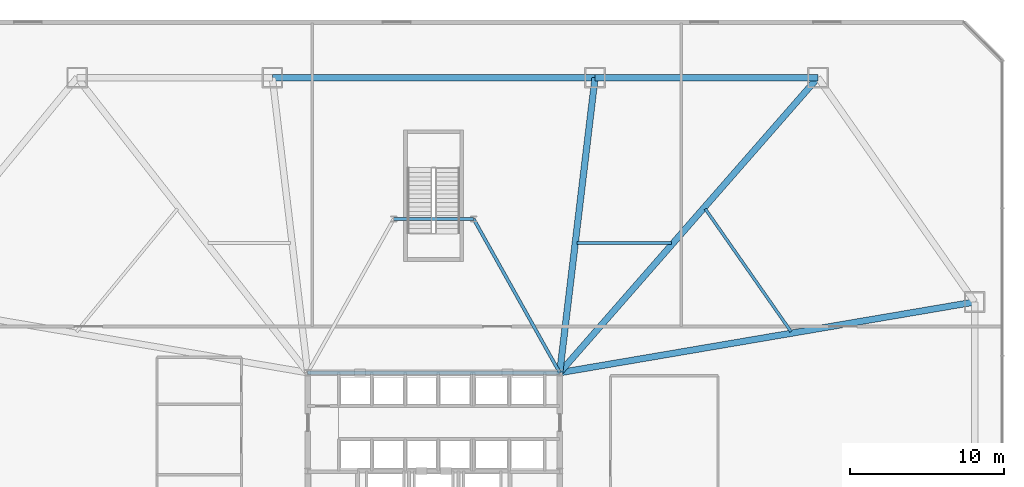
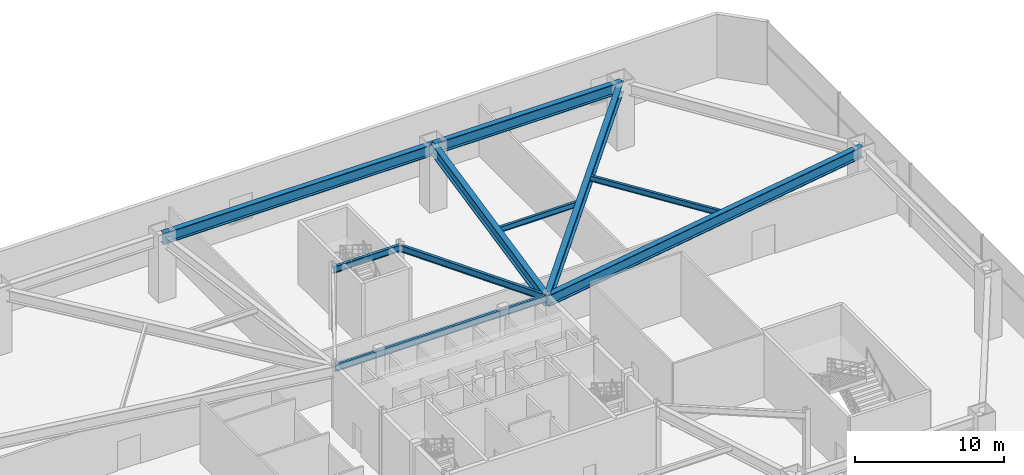
# One storey, part 8 of 20: 10 beams.
"""IFC4 building model written with IfcOpenShell, lengths in metres."""

import ifcopenshell
import ifcopenshell.guid

model = None  # the IFC model being written
_history = None  # IfcOwnerHistory: only IFC2X3 demands one
_inside = {}  # id of a spatial element -> (the spatial element, [elements in it])
_under = {}  # id of a project, library or spatial element -> (it, [spatial elements below it])
_declared = {}  # id of a project -> (the project, [libraries it declares])
_typed = {}  # id of a type object -> (the type object, [elements of that type])
_made_of = {}  # id of a material, layer set ... -> (it, [elements and type objects made of it])


def new_model(schema):
    """Start an empty IFC model of exactly this schema.

    Asked for "IFC4X3", IfcOpenShell would pick the latest addendum, in which some entities
    have other attributes; the version numbers below select the first issue.
    IFC2X3 requires an IfcOwnerHistory on every rooted entity: one is made here for all.
    """
    global model, _history
    if schema == "IFC4X3":
        model = ifcopenshell.file(schema_version=(4, 3, 0, 0))
    else:
        model = ifcopenshell.file(schema=schema)
    _inside.clear()
    _under.clear()
    _declared.clear()
    _typed.clear()
    _made_of.clear()
    _history = None
    if model.schema == "IFC2X3":
        org = make("IfcOrganization", Name="unknown")
        user = make(
            "IfcPersonAndOrganization",
            ThePerson=make("IfcPerson", FamilyName="unknown"),
            TheOrganization=org,
        )
        app = make(
            "IfcApplication",
            ApplicationDeveloper=org,
            Version="unknown",
            ApplicationFullName="unknown",
            ApplicationIdentifier="unknown",
        )
        _history = make(
            "IfcOwnerHistory",
            OwningUser=user,
            OwningApplication=app,
            ChangeAction="ADDED",
            CreationDate=0,
        )
    return model


def make(cls, **values):
    """One entity of the class cls with the attributes given. An attribute that is None is left unset."""
    return model.create_entity(
        cls, **{name: value for name, value in values.items() if value is not None}
    )


def rooted(cls, **values):
    """An entity with a GlobalId (a new one), such as an element, a storey or a relation."""
    return make(cls, GlobalId=ifcopenshell.guid.new(), OwnerHistory=_history, **values)


def si_unit(unit_type, name, prefix=None):
    """IfcSIUnit, for example si_unit("LENGTHUNIT", "METRE", prefix="MILLI")."""
    return make("IfcSIUnit", UnitType=unit_type, Prefix=prefix, Name=name)


def assignment(units):
    """IfcUnitAssignment: the units of a project."""
    return None if units is None else make("IfcUnitAssignment", Units=units)


def point(xyz):
    """IfcCartesianPoint."""
    return None if xyz is None else make("IfcCartesianPoint", Coordinates=xyz)


def direction(xyz):
    """IfcDirection."""
    return None if xyz is None else make("IfcDirection", DirectionRatios=xyz)


def frame(location, z_axis=None, x_axis=None):
    """IfcAxis2Placement3D, a coordinate frame: its origin and axes. An axis left out is left unset."""
    return make(
        "IfcAxis2Placement3D",
        Location=point(location),
        Axis=direction(z_axis),
        RefDirection=direction(x_axis),
    )


def frame_2d(location, x_axis=None):
    """IfcAxis2Placement2D, a coordinate frame in the plane: its origin and x axis."""
    return make(
        "IfcAxis2Placement2D", Location=point(location), RefDirection=direction(x_axis)
    )


def origin():
    """The frame at (0, 0, 0) with its axes left unset."""
    return frame((0.0, 0.0, 0.0))


def origin_2d():
    """The frame at (0, 0) in the plane with its x axis left unset."""
    return frame_2d((0.0, 0.0))


def place(relative_to, where):
    """IfcLocalPlacement: puts the frame where relative to a parent placement (None: the world)."""
    return make(
        "IfcLocalPlacement", PlacementRelTo=relative_to, RelativePlacement=where
    )


def context(
    kind, dimensions, precision=None, world=None, true_north=None, identifier=None
):
    """IfcGeometricRepresentationContext, for example the 3D "Model" context."""
    return make(
        "IfcGeometricRepresentationContext",
        ContextIdentifier=identifier,
        ContextType=kind,
        CoordinateSpaceDimension=dimensions,
        Precision=precision,
        WorldCoordinateSystem=world,
        TrueNorth=true_north,
    )


def subcontext(parent, identifier, kind, view, scale=None):
    """IfcGeometricRepresentationSubContext, for example "Body" below "Model"."""
    return make(
        "IfcGeometricRepresentationSubContext",
        ContextIdentifier=identifier,
        ContextType=kind,
        ParentContext=parent,
        TargetScale=scale,
        TargetView=view,
    )


def project(units=None, contexts=None):
    """IfcProject with its units and contexts."""
    return rooted(
        "IfcProject",
        Name="project",
        RepresentationContexts=contexts,
        UnitsInContext=assignment(units),
    )


def spatial(cls, under=None, at=None, **own):
    """A site, building, storey or space (cls), placed at a placement, below another one or the project."""
    s = rooted(cls, ObjectPlacement=at, **own)
    if under is not None:
        _under.setdefault(under.id(), (under, []))[1].append(s)
    return s


def profile(cls, at=None, kind="AREA", **sizes):
    """A parametric profile (cls). Its sizes go by their IFC names, for example OverallWidth=200.0."""
    return make(cls, ProfileType=kind, Position=at, **sizes)


def i_section(**sizes):
    """IfcIShapeProfileDef."""
    return profile("IfcIShapeProfileDef", **sizes)


def extrude(swept, where, along, depth):
    """IfcExtrudedAreaSolid: the profile swept, set in the frame where, extruded along a direction by depth."""
    return make(
        "IfcExtrudedAreaSolid",
        SweptArea=swept,
        Position=where,
        ExtrudedDirection=direction(along),
        Depth=depth,
    )


def shape(context_of_items, identifier, shape_type, items):
    """IfcShapeRepresentation: the items that make up one representation, for example the "Body"."""
    return make(
        "IfcShapeRepresentation",
        ContextOfItems=context_of_items,
        RepresentationIdentifier=identifier,
        RepresentationType=shape_type,
        Items=items,
    )


def material(Name=None, Category=None):
    """IfcMaterial."""
    return make("IfcMaterial", Name=Name, Category=Category)


def material_profile(
    of_material, cross_section, Name=None, Category=None, Priority=None
):
    """IfcMaterialProfile: a cross section and its material."""
    return make(
        "IfcMaterialProfile",
        Name=Name,
        Material=of_material,
        Profile=cross_section,
        Priority=Priority,
        Category=Category,
    )


def profile_set(profiles, Name=None, composite=None):
    """IfcMaterialProfileSet."""
    return make(
        "IfcMaterialProfileSet",
        Name=Name,
        MaterialProfiles=profiles,
        CompositeProfile=composite,
    )


def made_of(thing, what):
    """Note that an element or type object is made of a material, layer set ...; save() writes the relation."""
    if what is not None:
        _made_of.setdefault(what.id(), (what, []))[1].append(thing)
    return thing


def type_object(cls, material=None, **own):
    """A type object (cls), such as IfcWallType, which elements share."""
    return made_of(rooted(cls, **own), material)


def element(
    cls,
    number,
    at=None,
    inside=None,
    cuts=None,
    type_object=None,
    material=None,
    context=None,
    identifier="Body",
    shape_type=None,
    held_by="IfcProductDefinitionShape",
    body=None,
    shapes=None,
    **own,
):
    """One element of the class cls, such as IfcWall. Its Tag is "e" and its number.

    at: its placement. inside: the storey or other place that contains it. cuts: it is an
    opening in that element (IfcRelVoidsElement). A single representation is given by context,
    identifier, shape_type and body (its items); several are given by shapes. held_by: the class
    of the entity that holds the representations. save() writes the other relations.
    """
    e = rooted(cls, Tag="e%d" % number, ObjectPlacement=at, **own)
    if body is not None:
        shapes = [shape(context, identifier, shape_type, body)]
    if shapes is not None:
        e.Representation = make(held_by, Representations=shapes)
    if inside is not None:
        _inside.setdefault(inside.id(), (inside, []))[1].append(e)
    if cuts is not None:
        rooted(
            "IfcRelVoidsElement", RelatingBuildingElement=cuts, RelatedOpeningElement=e
        )
    if type_object is not None:
        _typed.setdefault(type_object.id(), (type_object, []))[1].append(e)
    return made_of(e, material)


def aggregate(whole, parts):
    """IfcRelAggregates: a whole, such as a stair, and the parts it consists of."""
    return rooted("IfcRelAggregates", RelatingObject=whole, RelatedObjects=parts)


def save(model, path):
    """Write the relations noted so far, then the file.

    IfcRelAggregates (storeys below a building ...), IfcRelContainedInSpatialStructure (elements
    in a storey), IfcRelDefinesByType, IfcRelAssociatesMaterial and IfcRelDeclares: one each for
    every whole, place, type object, material and project.
    """
    for whole, parts in _under.values():
        aggregate(whole, parts)
    for where, things in _inside.values():
        rooted(
            "IfcRelContainedInSpatialStructure",
            RelatedElements=things,
            RelatingStructure=where,
        )
    for kind, things in _typed.values():
        rooted("IfcRelDefinesByType", RelatedObjects=things, RelatingType=kind)
    for what, things in _made_of.values():
        rooted("IfcRelAssociatesMaterial", RelatedObjects=things, RelatingMaterial=what)
    for by, libraries in _declared.values():
        rooted("IfcRelDeclares", RelatingContext=by, RelatedDefinitions=libraries)
    model.write(path)


model = new_model("IFC4")

# Units and contexts
model_context = context("Model", 3, precision=1e-05, world=origin(), true_north=direction((0.0, 1.0)))
body_context = subcontext(model_context, "Body", "Model", "MODEL_VIEW")
ifc_project = project(units=[si_unit("LENGTHUNIT", "METRE"), si_unit("AREAUNIT", "SQUARE_METRE"), si_unit("VOLUMEUNIT", "CUBIC_METRE"), si_unit("PLANEANGLEUNIT", "RADIAN"), si_unit("MASSUNIT", "GRAM", prefix="KILO")], contexts=[model_context])

# Site, building, storey
site_placement = place(None, origin())
site = spatial("IfcSite", under=ifc_project, at=site_placement, CompositionType="ELEMENT")
building_placement = place(site_placement, origin())
building = spatial("IfcBuilding", under=site, at=building_placement, Name="Varakhsha Concourse Tower", CompositionType="ELEMENT")
storey_placement = place(building_placement, frame((0.0, 0.0, 16.5)))
storey = spatial("IfcBuildingStorey", under=building, at=storey_placement, Name="L04", CompositionType="ELEMENT", Elevation=16.5)

# Beams
ifc_material = material(Name="Structural Steel ASTM A992 Grade 50", Category="steel")
ifc_material_profile_1 = material_profile(ifc_material, i_section(OverallWidth=0.41796875, OverallDepth=0.927001953125, WebThickness=0.030029296875, FlangeThickness=0.051025390625, at=origin_2d()), Name="W36X231")
ifc_profile_set_1 = profile_set([ifc_material_profile_1], Name="Structural Steel ASTM A992 Grade 50")
beam_type_1 = type_object("IfcBeamType", Name="BM-HALL-W36X231", PredefinedType="USERDEFINED", material=ifc_profile_set_1)
beam_1_placement = place(storey_placement, frame((65.0, 50.39990234375, 4.716552734375), z_axis=(-1.0, 0.0, 0.0), x_axis=(0.0, -1.0, 0.0)))
element("IfcBeam", 1, at=beam_1_placement, inside=storey, type_object=beam_type_1, Name="BM-PRING-L04-07", ObjectType="GIRDER", PredefinedType="USERDEFINED", context=body_context, shape_type="SweptSolid", body=[
    extrude(i_section(OverallWidth=0.41796875, OverallDepth=0.927001953125, WebThickness=0.030029296875, FlangeThickness=0.051025390625, at=origin_2d()), origin(), (0.0, 0.0, 1.0), 14.5),
])
beam_2_placement = place(storey_placement, frame((50.5, 50.39990234375, 4.716552734375), z_axis=(-1.0, 0.0, 0.0), x_axis=(0.0, -1.0, 0.0)))
element("IfcBeam", 2, at=beam_2_placement, inside=storey, type_object=beam_type_1, Name="BM-PRING-L04-08", ObjectType="GIRDER", PredefinedType="USERDEFINED", context=body_context, shape_type="SweptSolid", body=[
    extrude(i_section(OverallWidth=0.41796875, OverallDepth=0.927001953125, WebThickness=0.030029296875, FlangeThickness=0.051025390625, at=origin_2d()), origin(), (0.0, 0.0, 1.0), 21.0),
])
beam_3_placement = place(storey_placement, frame((48.199951171875, 31.199951171875, 4.716552734375), z_axis=(0.985794867271, 0.167953802166, 0.0), x_axis=(-0.167953802166, 0.985794867271, 0.0)))
element("IfcBeam", 3, at=beam_3_placement, inside=storey, type_object=beam_type_1, Name="BM-PRAD-L04-06", ObjectType="GIRDER", PredefinedType="USERDEFINED", context=body_context, shape_type="SweptSolid", body=[
    extrude(i_section(OverallWidth=0.41796875, OverallDepth=0.927001953125, WebThickness=0.030029296875, FlangeThickness=0.051025390625, at=origin_2d()), origin(), (0.0, 0.0, 1.0), 27.38916015625),
])
beam_4_placement = place(storey_placement, frame((48.199951171875, 31.199951171875, 4.716552734375), z_axis=(0.658506640328, 0.7525749163, 0.0), x_axis=(-0.7525749163, 0.658506640328, 0.0)))
element("IfcBeam", 4, at=beam_4_placement, inside=storey, type_object=beam_type_1, Name="BM-PRAD-L04-07", ObjectType="GIRDER", PredefinedType="USERDEFINED", context=body_context, shape_type="SweptSolid", body=[
    extrude(i_section(OverallWidth=0.41796875, OverallDepth=0.927001953125, WebThickness=0.030029296875, FlangeThickness=0.051025390625, at=origin_2d()), origin(), (0.0, 0.0, 1.0), 25.512451171875),
])
beam_5_placement = place(storey_placement, frame((48.199951171875, 31.199951171875, 4.716552734375), z_axis=(0.118944087656, 0.992900953777, 0.0), x_axis=(-0.992900953777, 0.118944087656, 0.0)))
element("IfcBeam", 5, at=beam_5_placement, inside=storey, type_object=beam_type_1, Name="BM-PRAD-L04-08", ObjectType="GIRDER", PredefinedType="USERDEFINED", context=body_context, shape_type="SweptSolid", body=[
    extrude(i_section(OverallWidth=0.41796875, OverallDepth=0.927001953125, WebThickness=0.030029296875, FlangeThickness=0.051025390625, at=origin_2d()), origin(), (0.0, 0.0, 1.0), 19.337158203125),
])
ifc_material_profile_2 = material_profile(ifc_material, i_section(OverallWidth=0.19091796875, OverallDepth=0.45703125, WebThickness=0.009033203125, FlangeThickness=0.013916015625, at=origin_2d()), Name="W18X50")
ifc_profile_set_2 = profile_set([ifc_material_profile_2], Name="Structural Steel ASTM A992 Grade 50")
beam_type_2 = type_object("IfcBeamType", Name="BM-JST-W18X50", PredefinedType="JOIST", material=ifc_profile_set_2)
beam_6_placement = place(storey_placement, frame((63.251220703125, 33.87451171875, 4.951416015625), z_axis=(-0.572714673091, 0.819754782375, 0.0), x_axis=(-0.819754782375, -0.572714673091, 0.0)))
element("IfcBeam", 6, at=beam_6_placement, inside=storey, type_object=beam_type_2, Name="BM-PJST-L04-06", PredefinedType="JOIST", context=body_context, shape_type="SweptSolid", body=[
    extrude(i_section(OverallWidth=0.19091796875, OverallDepth=0.45703125, WebThickness=0.009033203125, FlangeThickness=0.013916015625, at=origin_2d()), origin(), (0.0, 0.0, 1.0), 9.7333984375),
])
beam_7_placement = place(storey_placement, frame((55.471923828125, 39.64794921875, 4.951416015625), z_axis=(-1.0, 0.0, 0.0), x_axis=(0.0, -1.0, 0.0)))
element("IfcBeam", 7, at=beam_7_placement, inside=storey, type_object=beam_type_2, Name="BM-PJST-L04-07", PredefinedType="JOIST", context=body_context, shape_type="SweptSolid", body=[
    extrude(i_section(OverallWidth=0.19091796875, OverallDepth=0.45703125, WebThickness=0.009033203125, FlangeThickness=0.013916015625, at=origin_2d()), origin(), (0.0, 0.0, 1.0), 6.139892578125),
])
ifc_material_profile_3 = material_profile(ifc_material, i_section(OverallWidth=0.2109375, OverallDepth=0.5390625, WebThickness=0.011962890625, FlangeThickness=0.01904296875, at=origin_2d()), Name="W21X73")
ifc_profile_set_3 = profile_set([ifc_material_profile_3], Name="Structural Steel ASTM A992 Grade 50")
beam_type_3 = type_object("IfcBeamType", Name="BM-RAD-W21X73", PredefinedType="BEAM", material=ifc_profile_set_3)
beam_8_placement = place(storey_placement, frame((31.800048828125, 31.199951171875, 4.910400390625), z_axis=(1.0, 0.0, 0.0), x_axis=(0.0, 1.0, 0.0)))
element("IfcBeam", 8, at=beam_8_placement, inside=storey, type_object=beam_type_3, Name="BM-CORE-L04-CN", PredefinedType="BEAM", context=body_context, shape_type="SweptSolid", body=[
    extrude(i_section(OverallWidth=0.2109375, OverallDepth=0.5390625, WebThickness=0.011962890625, FlangeThickness=0.01904296875, at=origin_2d()), origin(), (0.0, 0.0, 1.0), 16.39990234375),
])
beam_9_placement = place(storey_placement, frame((48.199951171875, 31.199951171875, 4.910400390625), z_axis=(-0.488593639205, 0.872511464526, 0.0), x_axis=(-0.872511464526, -0.488593639205, 0.0)))
element("IfcBeam", 9, at=beam_9_placement, inside=storey, type_object=beam_type_3, Name="BM-CORE-L04-NSE", PredefinedType="BEAM", context=body_context, shape_type="SweptSolid", body=[
    extrude(i_section(OverallWidth=0.2109375, OverallDepth=0.5390625, WebThickness=0.011962890625, FlangeThickness=0.01904296875, at=origin_2d()), origin(), (0.0, 0.0, 1.0), 11.461181640625),
])
beam_10_placement = place(storey_placement, frame((37.39990234375, 41.199951171875, 4.910400390625), z_axis=(1.0, 0.0, 0.0), x_axis=(0.0, 1.0, 0.0)))
element("IfcBeam", 10, at=beam_10_placement, inside=storey, type_object=beam_type_3, Name="BM-CORE-L04-NSB", PredefinedType="BEAM", context=body_context, shape_type="SweptSolid", body=[
    extrude(i_section(OverallWidth=0.2109375, OverallDepth=0.5390625, WebThickness=0.011962890625, FlangeThickness=0.01904296875, at=origin_2d()), origin(), (0.0, 0.0, 1.0), 5.2001953125),
])

save(model, "model.ifc")
